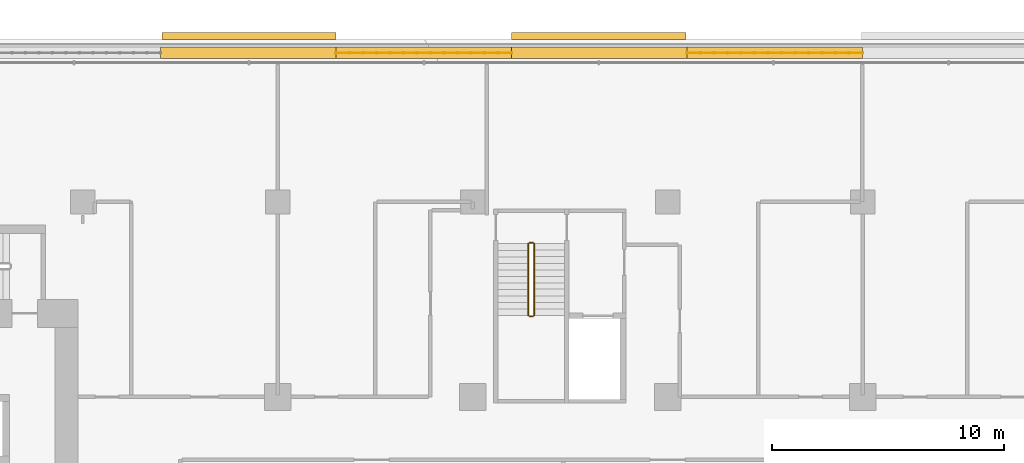
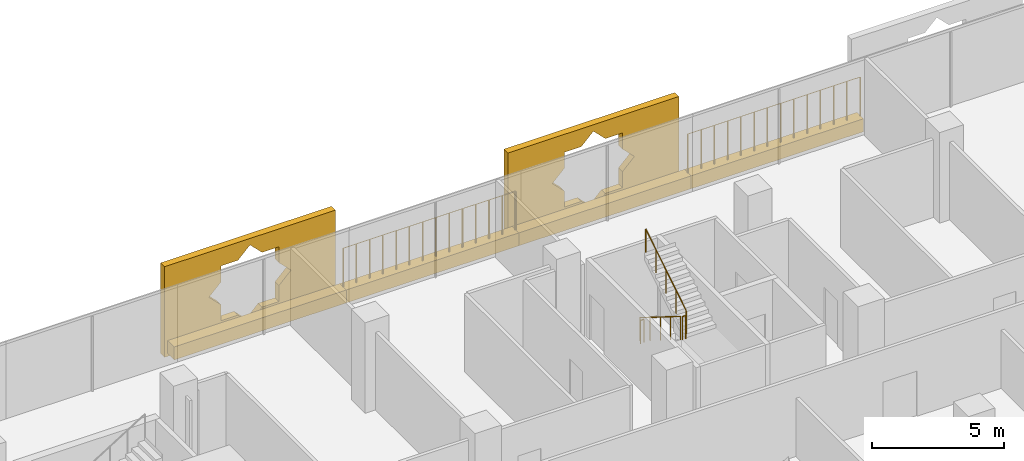
# One storey, part 26 of 27: 6 coverings, 6 railings.
"""IFC4 building model written with IfcOpenShell, lengths in metres."""

import ifcopenshell
import ifcopenshell.guid

model = None  # the IFC model being written
_history = None  # IfcOwnerHistory: only IFC2X3 demands one
_inside = {}  # id of a spatial element -> (the spatial element, [elements in it])
_under = {}  # id of a project, library or spatial element -> (it, [spatial elements below it])
_declared = {}  # id of a project -> (the project, [libraries it declares])
_typed = {}  # id of a type object -> (the type object, [elements of that type])
_made_of = {}  # id of a material, layer set ... -> (it, [elements and type objects made of it])


def new_model(schema):
    """Start an empty IFC model of exactly this schema.

    Asked for "IFC4X3", IfcOpenShell would pick the latest addendum, in which some entities
    have other attributes; the version numbers below select the first issue.
    IFC2X3 requires an IfcOwnerHistory on every rooted entity: one is made here for all.
    """
    global model, _history
    if schema == "IFC4X3":
        model = ifcopenshell.file(schema_version=(4, 3, 0, 0))
    else:
        model = ifcopenshell.file(schema=schema)
    _inside.clear()
    _under.clear()
    _declared.clear()
    _typed.clear()
    _made_of.clear()
    _history = None
    if model.schema == "IFC2X3":
        org = make("IfcOrganization", Name="unknown")
        user = make(
            "IfcPersonAndOrganization",
            ThePerson=make("IfcPerson", FamilyName="unknown"),
            TheOrganization=org,
        )
        app = make(
            "IfcApplication",
            ApplicationDeveloper=org,
            Version="unknown",
            ApplicationFullName="unknown",
            ApplicationIdentifier="unknown",
        )
        _history = make(
            "IfcOwnerHistory",
            OwningUser=user,
            OwningApplication=app,
            ChangeAction="ADDED",
            CreationDate=0,
        )
    return model


def make(cls, **values):
    """One entity of the class cls with the attributes given. An attribute that is None is left unset."""
    return model.create_entity(
        cls, **{name: value for name, value in values.items() if value is not None}
    )


def rooted(cls, **values):
    """An entity with a GlobalId (a new one), such as an element, a storey or a relation."""
    return make(cls, GlobalId=ifcopenshell.guid.new(), OwnerHistory=_history, **values)


def si_unit(unit_type, name, prefix=None):
    """IfcSIUnit, for example si_unit("LENGTHUNIT", "METRE", prefix="MILLI")."""
    return make("IfcSIUnit", UnitType=unit_type, Prefix=prefix, Name=name)


def assignment(units):
    """IfcUnitAssignment: the units of a project."""
    return None if units is None else make("IfcUnitAssignment", Units=units)


def point(xyz):
    """IfcCartesianPoint."""
    return None if xyz is None else make("IfcCartesianPoint", Coordinates=xyz)


def direction(xyz):
    """IfcDirection."""
    return None if xyz is None else make("IfcDirection", DirectionRatios=xyz)


def frame(location, z_axis=None, x_axis=None):
    """IfcAxis2Placement3D, a coordinate frame: its origin and axes. An axis left out is left unset."""
    return make(
        "IfcAxis2Placement3D",
        Location=point(location),
        Axis=direction(z_axis),
        RefDirection=direction(x_axis),
    )


def frame_2d(location, x_axis=None):
    """IfcAxis2Placement2D, a coordinate frame in the plane: its origin and x axis."""
    return make(
        "IfcAxis2Placement2D", Location=point(location), RefDirection=direction(x_axis)
    )


def origin():
    """The frame at (0, 0, 0) with its axes left unset."""
    return frame((0.0, 0.0, 0.0))


def origin_2d():
    """The frame at (0, 0) in the plane with its x axis left unset."""
    return frame_2d((0.0, 0.0))


def place(relative_to, where):
    """IfcLocalPlacement: puts the frame where relative to a parent placement (None: the world)."""
    return make(
        "IfcLocalPlacement", PlacementRelTo=relative_to, RelativePlacement=where
    )


def context(
    kind, dimensions, precision=None, world=None, true_north=None, identifier=None
):
    """IfcGeometricRepresentationContext, for example the 3D "Model" context."""
    return make(
        "IfcGeometricRepresentationContext",
        ContextIdentifier=identifier,
        ContextType=kind,
        CoordinateSpaceDimension=dimensions,
        Precision=precision,
        WorldCoordinateSystem=world,
        TrueNorth=true_north,
    )


def subcontext(parent, identifier, kind, view, scale=None):
    """IfcGeometricRepresentationSubContext, for example "Body" below "Model"."""
    return make(
        "IfcGeometricRepresentationSubContext",
        ContextIdentifier=identifier,
        ContextType=kind,
        ParentContext=parent,
        TargetScale=scale,
        TargetView=view,
    )


def project(units=None, contexts=None):
    """IfcProject with its units and contexts."""
    return rooted(
        "IfcProject",
        Name="project",
        RepresentationContexts=contexts,
        UnitsInContext=assignment(units),
    )


def spatial(cls, under=None, at=None, **own):
    """A site, building, storey or space (cls), placed at a placement, below another one or the project."""
    s = rooted(cls, ObjectPlacement=at, **own)
    if under is not None:
        _under.setdefault(under.id(), (under, []))[1].append(s)
    return s


def polyline(points):
    """IfcPolyline through the points."""
    return make("IfcPolyline", Points=[point(p) for p in points])


def profile(cls, at=None, kind="AREA", **sizes):
    """A parametric profile (cls). Its sizes go by their IFC names, for example OverallWidth=200.0."""
    return make(cls, ProfileType=kind, Position=at, **sizes)


def rectangle(**sizes):
    """IfcRectangleProfileDef."""
    return profile("IfcRectangleProfileDef", **sizes)


def circle(**sizes):
    """IfcCircleProfileDef."""
    return profile("IfcCircleProfileDef", **sizes)


def outline(outer, holes=None, kind="AREA"):
    """IfcArbitraryClosedProfileDef: a profile drawn as a closed curve; with holes, ...WithVoids."""
    if holes is None:
        return make("IfcArbitraryClosedProfileDef", ProfileType=kind, OuterCurve=outer)
    return make(
        "IfcArbitraryProfileDefWithVoids",
        ProfileType=kind,
        OuterCurve=outer,
        InnerCurves=holes,
    )


def extrude(swept, where, along, depth):
    """IfcExtrudedAreaSolid: the profile swept, set in the frame where, extruded along a direction by depth."""
    return make(
        "IfcExtrudedAreaSolid",
        SweptArea=swept,
        Position=where,
        ExtrudedDirection=direction(along),
        Depth=depth,
    )


def shape(context_of_items, identifier, shape_type, items):
    """IfcShapeRepresentation: the items that make up one representation, for example the "Body"."""
    return make(
        "IfcShapeRepresentation",
        ContextOfItems=context_of_items,
        RepresentationIdentifier=identifier,
        RepresentationType=shape_type,
        Items=items,
    )


def material(Name=None, Category=None):
    """IfcMaterial."""
    return make("IfcMaterial", Name=Name, Category=Category)


def material_profile(
    of_material, cross_section, Name=None, Category=None, Priority=None
):
    """IfcMaterialProfile: a cross section and its material."""
    return make(
        "IfcMaterialProfile",
        Name=Name,
        Material=of_material,
        Profile=cross_section,
        Priority=Priority,
        Category=Category,
    )


def profile_set(profiles, Name=None, composite=None):
    """IfcMaterialProfileSet."""
    return make(
        "IfcMaterialProfileSet",
        Name=Name,
        MaterialProfiles=profiles,
        CompositeProfile=composite,
    )


def made_of(thing, what):
    """Note that an element or type object is made of a material, layer set ...; save() writes the relation."""
    if what is not None:
        _made_of.setdefault(what.id(), (what, []))[1].append(thing)
    return thing


def type_object(cls, material=None, **own):
    """A type object (cls), such as IfcWallType, which elements share."""
    return made_of(rooted(cls, **own), material)


def element(
    cls,
    number,
    at=None,
    inside=None,
    cuts=None,
    type_object=None,
    material=None,
    context=None,
    identifier="Body",
    shape_type=None,
    held_by="IfcProductDefinitionShape",
    body=None,
    shapes=None,
    **own,
):
    """One element of the class cls, such as IfcWall. Its Tag is "e" and its number.

    at: its placement. inside: the storey or other place that contains it. cuts: it is an
    opening in that element (IfcRelVoidsElement). A single representation is given by context,
    identifier, shape_type and body (its items); several are given by shapes. held_by: the class
    of the entity that holds the representations. save() writes the other relations.
    """
    e = rooted(cls, Tag="e%d" % number, ObjectPlacement=at, **own)
    if body is not None:
        shapes = [shape(context, identifier, shape_type, body)]
    if shapes is not None:
        e.Representation = make(held_by, Representations=shapes)
    if inside is not None:
        _inside.setdefault(inside.id(), (inside, []))[1].append(e)
    if cuts is not None:
        rooted(
            "IfcRelVoidsElement", RelatingBuildingElement=cuts, RelatedOpeningElement=e
        )
    if type_object is not None:
        _typed.setdefault(type_object.id(), (type_object, []))[1].append(e)
    return made_of(e, material)


def aggregate(whole, parts):
    """IfcRelAggregates: a whole, such as a stair, and the parts it consists of."""
    return rooted("IfcRelAggregates", RelatingObject=whole, RelatedObjects=parts)


def save(model, path):
    """Write the relations noted so far, then the file.

    IfcRelAggregates (storeys below a building ...), IfcRelContainedInSpatialStructure (elements
    in a storey), IfcRelDefinesByType, IfcRelAssociatesMaterial and IfcRelDeclares: one each for
    every whole, place, type object, material and project.
    """
    for whole, parts in _under.values():
        aggregate(whole, parts)
    for where, things in _inside.values():
        rooted(
            "IfcRelContainedInSpatialStructure",
            RelatedElements=things,
            RelatingStructure=where,
        )
    for kind, things in _typed.values():
        rooted("IfcRelDefinesByType", RelatedObjects=things, RelatingType=kind)
    for what, things in _made_of.values():
        rooted("IfcRelAssociatesMaterial", RelatedObjects=things, RelatingMaterial=what)
    for by, libraries in _declared.values():
        rooted("IfcRelDeclares", RelatingContext=by, RelatedDefinitions=libraries)
    model.write(path)


model = new_model("IFC4")

# Units and contexts
model_context = context("Model", 3, precision=1e-05, world=origin(), true_north=direction((0.0, 1.0)))
body_context = subcontext(model_context, "Body", "Model", "MODEL_VIEW")
ifc_project = project(units=[si_unit("LENGTHUNIT", "METRE"), si_unit("AREAUNIT", "SQUARE_METRE"), si_unit("VOLUMEUNIT", "CUBIC_METRE"), si_unit("PLANEANGLEUNIT", "RADIAN"), si_unit("MASSUNIT", "GRAM", prefix="KILO")], contexts=[model_context])

# Site, building, storey
site_placement = place(None, origin())
site = spatial("IfcSite", under=ifc_project, at=site_placement, CompositionType="ELEMENT")
building_placement = place(site_placement, origin())
building = spatial("IfcBuilding", under=site, at=building_placement, Name="Kawkab Arch Medical Tower", CompositionType="ELEMENT")
storey_placement = place(building_placement, frame((0.0, 0.0, 103.0)))
storey = spatial("IfcBuildingStorey", under=building, at=storey_placement, Name="L23", CompositionType="ELEMENT", Elevation=103.0)

# Coverings
ifc_material_1 = material(Name="Bronze anodised aluminium mashrabiya panel, eight-point star pattern", Category="aluminium")
ifc_material_profile_1 = material_profile(ifc_material_1, outline(polyline([(-3.75, -2.10009765625), (3.75, -2.10009765625), (3.75, 2.10009765625), (-3.75, 2.10009765625), (-3.75, -2.10009765625)]), holes=[polyline([(1.800048828125, 0.0), (1.272705078125, 0.527099609375), (1.272705078125, 1.272705078125), (0.527099609375, 1.272705078125), (0.0, 1.800048828125), (-0.527099609375, 1.272705078125), (-1.272705078125, 1.272705078125), (-1.272705078125, 0.527099609375), (-1.800048828125, 0.0), (-1.272705078125, -0.527099609375), (-1.272705078125, -1.272705078125), (-0.527099609375, -1.272705078125), (0.0, -1.800048828125), (0.527099609375, -1.272705078125), (1.272705078125, -1.272705078125), (1.272705078125, -0.527099609375), (1.800048828125, 0.0)])]), Name="Mashrabiya panel 7500x4200")
ifc_profile_set_1 = profile_set([ifc_material_profile_1], Name="Bronze anodised aluminium mashrabiya panel, eight-point star pattern")
covering_type_1 = type_object("IfcCoveringType", Name="Mashrabiya panel 7500 x 4200", PredefinedType="USERDEFINED", material=ifc_profile_set_1)
for number, where, z_axis, x_axis, name in (
    (1, (32.3662109375, 7.0, 1.699951171875), (0.0, 1.0, 0.0), (-1.0, 0.0, 0.0), "Mashrabiya panel L23.LOG-01-02.7"),
    (2, (47.433837890625, 7.0, 1.699951171875), (0.0, 1.0, 0.0), (-1.0, 0.0, 0.0), "Mashrabiya panel L23.LOG-01-02.8"),
):
    element("IfcCovering", number, at=place(storey_placement, frame(where, z_axis=z_axis, x_axis=x_axis)), inside=storey, type_object=covering_type_1, Name=name, ObjectType="SCREEN", PredefinedType="USERDEFINED", context=body_context, shape_type="SweptSolid", body=[
        extrude(outline(polyline([(-3.75, -2.10009765625), (3.75, -2.10009765625), (3.75, 2.10009765625), (-3.75, 2.10009765625), (-3.75, -2.10009765625)]), holes=[polyline([(1.800048828125, 0.0), (1.272705078125, 0.527099609375), (1.272705078125, 1.272705078125), (0.527099609375, 1.272705078125), (0.0, 1.800048828125), (-0.527099609375, 1.272705078125), (-1.272705078125, 1.272705078125), (-1.272705078125, 0.527099609375), (-1.800048828125, 0.0), (-1.272705078125, -0.527099609375), (-1.272705078125, -1.272705078125), (-0.527099609375, -1.272705078125), (0.0, -1.800048828125), (0.527099609375, -1.272705078125), (1.272705078125, -1.272705078125), (1.272705078125, -0.527099609375), (1.800048828125, 0.0)])]), origin(), (0.0, 0.0, 1.0), 0.300048828125),
    ])
ifc_material_2 = material(Name="Planting soil in a precast trough", Category="concrete")
ifc_material_profile_2 = material_profile(ifc_material_2, rectangle(XDim=0.5, YDim=0.60009765625, at=origin_2d()), Name="Trough 500x600")
ifc_profile_set_2 = profile_set([ifc_material_profile_2], Name="Planting soil in a precast trough")
covering_type_2 = type_object("IfcCoveringType", Name="Planter trough 500 x 600", PredefinedType="USERDEFINED", material=ifc_profile_set_2)
covering_1_placement = place(storey_placement, frame((28.55810546875, 6.419921875, 0.300048828125), z_axis=(1.0, 0.0, 0.0), x_axis=(0.0, 1.0, 0.0)))
element("IfcCovering", 3, at=covering_1_placement, inside=storey, type_object=covering_type_2, Name="Planter L23.LOG-01-02.20", ObjectType="PLANTER", PredefinedType="USERDEFINED", context=body_context, shape_type="SweptSolid", body=[
    extrude(rectangle(XDim=0.5, YDim=0.60009765625, at=origin_2d()), origin(), (0.0, 0.0, 1.0), 7.560791015625),
])
covering_2_placement = place(storey_placement, frame((36.118896484375, 6.419921875, 0.300048828125), z_axis=(1.0, 0.0, 0.0), x_axis=(0.0, 1.0, 0.0)))
element("IfcCovering", 4, at=covering_2_placement, inside=storey, type_object=covering_type_2, Name="Planter L23.LOG-01-02.21", ObjectType="PLANTER", PredefinedType="USERDEFINED", context=body_context, shape_type="SweptSolid", body=[
    extrude(rectangle(XDim=0.5, YDim=0.60009765625, at=origin_2d()), origin(), (0.0, 0.0, 1.0), 7.56201171875),
])
for number, where, z_axis, x_axis, name in (
    (5, (43.680908203125, 6.419921875, 0.300048828125), (1.0, 0.0, 0.0), (0.0, 1.0, 0.0), "Planter L23.LOG-01-02.22"),
    (6, (51.241943359375, 6.419921875, 0.300048828125), (1.0, 0.0, 0.0), (0.0, 1.0, 0.0), "Planter L23.LOG-01-02.23"),
):
    element("IfcCovering", number, at=place(storey_placement, frame(where, z_axis=z_axis, x_axis=x_axis)), inside=storey, type_object=covering_type_2, Name=name, ObjectType="PLANTER", PredefinedType="USERDEFINED", context=body_context, shape_type="SweptSolid", body=[
        extrude(rectangle(XDim=0.5, YDim=0.60009765625, at=origin_2d()), origin(), (0.0, 0.0, 1.0), 7.56103515625),
    ])

# Railings
ifc_material_3 = material(Name="Bronze anodised aluminium trellis for climbing plants", Category="aluminium")
railing_type_1 = type_object("IfcRailingType", Name="Planting trellis 2400", PredefinedType="USERDEFINED", material=ifc_material_3)
railing_1_placement = place(storey_placement, frame((36.118896484375, 6.419921875, 0.0)))
element("IfcRailing", 7, at=railing_1_placement, inside=storey, type_object=railing_type_1, Name="Planting trellis L23.LOG-01-02.21", ObjectType="TRELLIS", PredefinedType="USERDEFINED", context=body_context, shape_type="SweptSolid", body=[
    extrude(circle(Radius=0.01513671875, at=origin_2d()), frame((0.0, 0.0, 2.384765625), z_axis=(1.0, 0.0, 0.0), x_axis=(0.0, 1.0, 0.0)), (0.0, 0.0, 1.0), 7.56201171875),
    extrude(circle(Radius=0.030029296875, at=origin_2d()), origin(), (0.0, 0.0, 1.0), 2.369873046875),
    extrude(circle(Radius=0.030029296875, at=origin_2d()), frame((0.581787109375, 0.0, 0.0)), (0.0, 0.0, 1.0), 2.369873046875),
    extrude(circle(Radius=0.030029296875, at=origin_2d()), frame((1.163330078125, 0.0, 0.0)), (0.0, 0.0, 1.0), 2.369873046875),
    extrude(circle(Radius=0.030029296875, at=origin_2d()), frame((1.7451171875, 0.0, 0.0)), (0.0, 0.0, 1.0), 2.369873046875),
    extrude(circle(Radius=0.030029296875, at=origin_2d()), frame((2.32666015625, 0.0, 0.0)), (0.0, 0.0, 1.0), 2.369873046875),
    extrude(circle(Radius=0.030029296875, at=origin_2d()), frame((2.908447265625, 0.0, 0.0)), (0.0, 0.0, 1.0), 2.369873046875),
    extrude(circle(Radius=0.030029296875, at=origin_2d()), frame((3.490234375, 0.0, 0.0)), (0.0, 0.0, 1.0), 2.369873046875),
    extrude(circle(Radius=0.030029296875, at=origin_2d()), frame((4.07177734375, 0.0, 0.0)), (0.0, 0.0, 1.0), 2.369873046875),
    extrude(circle(Radius=0.030029296875, at=origin_2d()), frame((4.653564453125, 0.0, 0.0)), (0.0, 0.0, 1.0), 2.369873046875),
    extrude(circle(Radius=0.030029296875, at=origin_2d()), frame((5.2353515625, 0.0, 0.0)), (0.0, 0.0, 1.0), 2.369873046875),
    extrude(circle(Radius=0.030029296875, at=origin_2d()), frame((5.81689453125, 0.0, 0.0)), (0.0, 0.0, 1.0), 2.369873046875),
    extrude(circle(Radius=0.030029296875, at=origin_2d()), frame((6.398681640625, 0.0, 0.0)), (0.0, 0.0, 1.0), 2.369873046875),
    extrude(circle(Radius=0.030029296875, at=origin_2d()), frame((6.980224609375, 0.0, 0.0)), (0.0, 0.0, 1.0), 2.369873046875),
    extrude(circle(Radius=0.030029296875, at=origin_2d()), frame((7.56201171875, 0.0, 0.0)), (0.0, 0.0, 1.0), 2.369873046875),
])
railing_2_placement = place(storey_placement, frame((51.241943359375, 6.419921875, 0.0)))
element("IfcRailing", 8, at=railing_2_placement, inside=storey, type_object=railing_type_1, Name="Planting trellis L23.LOG-01-02.23", ObjectType="TRELLIS", PredefinedType="USERDEFINED", context=body_context, shape_type="SweptSolid", body=[
    extrude(circle(Radius=0.01513671875, at=origin_2d()), frame((0.0, 0.0, 2.384765625), z_axis=(1.0, 0.0, 0.0), x_axis=(0.0, 1.0, 0.0)), (0.0, 0.0, 1.0), 7.56103515625),
    extrude(circle(Radius=0.030029296875, at=origin_2d()), origin(), (0.0, 0.0, 1.0), 2.369873046875),
    extrude(circle(Radius=0.030029296875, at=origin_2d()), frame((0.58154296875, 0.0, 0.0)), (0.0, 0.0, 1.0), 2.369873046875),
    extrude(circle(Radius=0.030029296875, at=origin_2d()), frame((1.163330078125, 0.0, 0.0)), (0.0, 0.0, 1.0), 2.369873046875),
    extrude(circle(Radius=0.030029296875, at=origin_2d()), frame((1.744873046875, 0.0, 0.0)), (0.0, 0.0, 1.0), 2.369873046875),
    extrude(circle(Radius=0.030029296875, at=origin_2d()), frame((2.326416015625, 0.0, 0.0)), (0.0, 0.0, 1.0), 2.369873046875),
    extrude(circle(Radius=0.030029296875, at=origin_2d()), frame((2.908203125, 0.0, 0.0)), (0.0, 0.0, 1.0), 2.369873046875),
    extrude(circle(Radius=0.030029296875, at=origin_2d()), frame((3.48974609375, 0.0, 0.0)), (0.0, 0.0, 1.0), 2.369873046875),
    extrude(circle(Radius=0.030029296875, at=origin_2d()), frame((4.0712890625, 0.0, 0.0)), (0.0, 0.0, 1.0), 2.369873046875),
    extrude(circle(Radius=0.030029296875, at=origin_2d()), frame((4.65283203125, 0.0, 0.0)), (0.0, 0.0, 1.0), 2.369873046875),
    extrude(circle(Radius=0.030029296875, at=origin_2d()), frame((5.234619140625, 0.0, 0.0)), (0.0, 0.0, 1.0), 2.369873046875),
    extrude(circle(Radius=0.030029296875, at=origin_2d()), frame((5.816162109375, 0.0, 0.0)), (0.0, 0.0, 1.0), 2.369873046875),
    extrude(circle(Radius=0.030029296875, at=origin_2d()), frame((6.397705078125, 0.0, 0.0)), (0.0, 0.0, 1.0), 2.369873046875),
    extrude(circle(Radius=0.030029296875, at=origin_2d()), frame((6.9794921875, 0.0, 0.0)), (0.0, 0.0, 1.0), 2.369873046875),
    extrude(circle(Radius=0.030029296875, at=origin_2d()), frame((7.56103515625, 0.0, 0.0)), (0.0, 0.0, 1.0), 2.369873046875),
])
ifc_material_4 = material(Name="Stainless steel", Category="steel")
railing_type_2 = type_object("IfcRailingType", Name="Stair guard 1100", PredefinedType="GUARDRAIL", material=ifc_material_4)
railing_3_placement = place(storey_placement, frame((44.39990234375, -1.800048828125, 0.175048828125)))
element("IfcRailing", 9, at=railing_3_placement, inside=storey, type_object=railing_type_2, Name="L23 ST5 stair guard 1", PredefinedType="GUARDRAIL", context=body_context, shape_type="SweptSolid", body=[
    extrude(circle(Radius=0.02392578125, at=origin_2d()), frame((0.0, 0.0, 1.076171875), z_axis=(0.0, -0.847979421464, 0.530029150871), x_axis=(1.0, 0.0, 0.0)), (0.0, 0.0, 1.0), 3.632080078125),
    extrude(circle(Radius=0.02099609375, at=origin_2d()), origin(), (0.0, 0.0, 1.0), 1.052001953125),
    extrude(circle(Radius=0.02099609375, at=origin_2d()), frame((0.0, -0.77001953125, 0.481201171875)), (0.0, 0.0, 1.0), 1.052001953125),
    extrude(circle(Radius=0.02099609375, at=origin_2d()), frame((0.0, -1.5400390625, 0.96240234375)), (0.0, 0.0, 1.0), 1.052001953125),
    extrude(circle(Radius=0.02099609375, at=origin_2d()), frame((0.0, -2.309814453125, 1.44384765625)), (0.0, 0.0, 1.0), 1.052001953125),
    extrude(circle(Radius=0.02099609375, at=origin_2d()), frame((0.0, -3.079833984375, 1.925048828125)), (0.0, 0.0, 1.0), 1.052001953125),
])
railing_4_placement = place(storey_placement, frame((44.449951171875, -4.929931640625, 2.10009765625)))
element("IfcRailing", 10, at=railing_4_placement, inside=storey, type_object=railing_type_2, Name="L23 ST5 stair guard 2", PredefinedType="GUARDRAIL", context=body_context, shape_type="SweptSolid", body=[
    extrude(circle(Radius=0.02392578125, at=origin_2d()), frame((0.0, 0.0, 1.076171875), z_axis=(1.0, 0.0, 0.0), x_axis=(0.0, 1.0, 0.0)), (0.0, 0.0, 1.0), 0.150146484375),
    extrude(circle(Radius=0.02099609375, at=origin_2d()), origin(), (0.0, 0.0, 1.0), 1.052001953125),
    extrude(circle(Radius=0.02099609375, at=origin_2d()), frame((0.150146484375, 0.0, 0.0)), (0.0, 0.0, 1.0), 1.052001953125),
])
railing_5_placement = place(storey_placement, frame((44.64990234375, -4.8798828125, 2.27490234375)))
element("IfcRailing", 11, at=railing_5_placement, inside=storey, type_object=railing_type_2, Name="L23 ST5 stair guard 3", PredefinedType="GUARDRAIL", context=body_context, shape_type="SweptSolid", body=[
    extrude(circle(Radius=0.02392578125, at=origin_2d()), frame((0.0, 0.0, 1.076171875), z_axis=(0.0, 0.847979421464, 0.530029150871), x_axis=(-1.0, 0.0, 0.0)), (0.0, 0.0, 1.0), 3.632080078125),
    extrude(circle(Radius=0.02099609375, at=origin_2d()), origin(), (0.0, 0.0, 1.0), 1.052001953125),
    extrude(circle(Radius=0.02099609375, at=origin_2d()), frame((0.0, 0.77001953125, 0.481201171875)), (0.0, 0.0, 1.0), 1.052001953125),
    extrude(circle(Radius=0.02099609375, at=origin_2d()), frame((0.0, 1.5400390625, 0.96240234375)), (0.0, 0.0, 1.0), 1.052001953125),
    extrude(circle(Radius=0.02099609375, at=origin_2d()), frame((0.0, 2.309814453125, 1.44384765625)), (0.0, 0.0, 1.0), 1.052001953125),
    extrude(circle(Radius=0.02099609375, at=origin_2d()), frame((0.0, 3.079833984375, 1.925048828125)), (0.0, 0.0, 1.0), 1.052001953125),
])
railing_6_placement = place(storey_placement, frame((44.449951171875, -1.75, 0.0)))
element("IfcRailing", 12, at=railing_6_placement, inside=storey, type_object=railing_type_2, Name="L23 ST5 stair guard 4", PredefinedType="GUARDRAIL", context=body_context, shape_type="SweptSolid", body=[
    extrude(circle(Radius=0.02392578125, at=origin_2d()), frame((0.0, 0.0, 1.076171875), z_axis=(1.0, 0.0, 0.0), x_axis=(0.0, 1.0, 0.0)), (0.0, 0.0, 1.0), 0.150146484375),
    extrude(circle(Radius=0.02099609375, at=origin_2d()), origin(), (0.0, 0.0, 1.0), 1.052001953125),
    extrude(circle(Radius=0.02099609375, at=origin_2d()), frame((0.150146484375, 0.0, 0.0)), (0.0, 0.0, 1.0), 1.052001953125),
])

save(model, "model.ifc")
